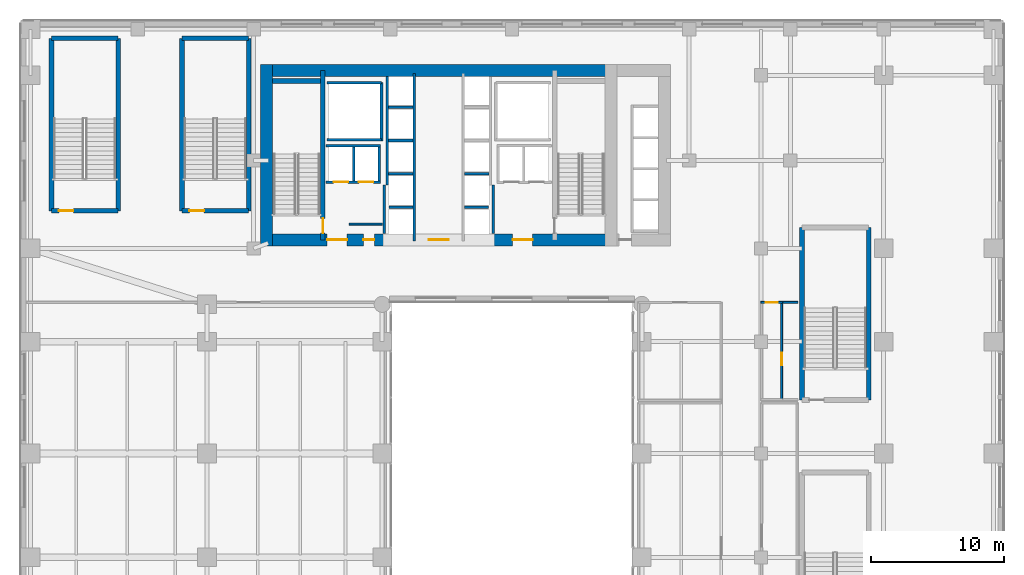
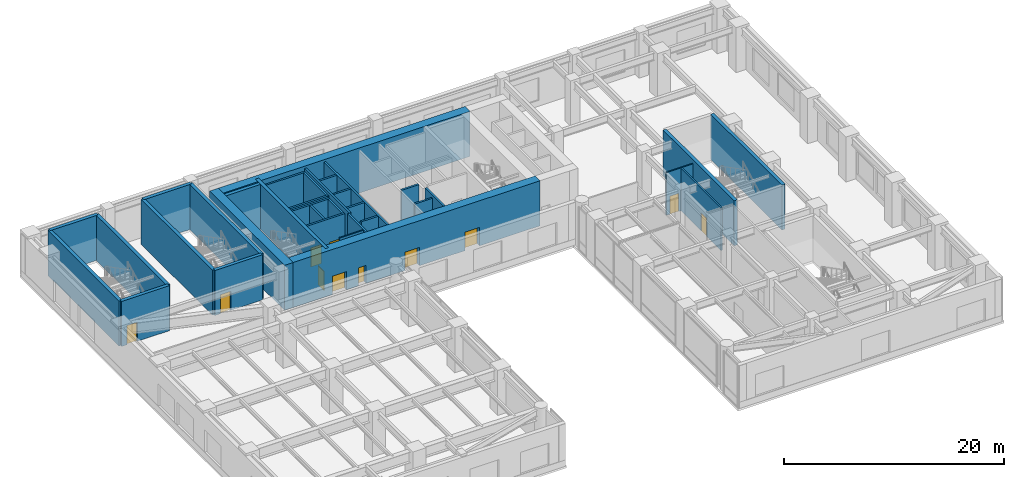
# One storey, part 14 of 24: 36 walls, 11 doors, 11 openings.
"""IFC4 building model written with IfcOpenShell, lengths in metres."""

from ifc_helpers import new_model, si_unit, direction, frame, frame_2d, origin, place, context, subcontext, project, spatial, rectangle, extrude, source, transform, mapped, material, layer, layer_set, type_object, type_shapes, element, fill, save


model = new_model("IFC4")

# Units and contexts
model_context = context("Model", 3, precision=1e-05, world=origin(), true_north=direction((0.0, 1.0)))
body_context = subcontext(model_context, "Body", "Model", "MODEL_VIEW")
ifc_project = project(units=[si_unit("LENGTHUNIT", "METRE"), si_unit("AREAUNIT", "SQUARE_METRE"), si_unit("VOLUMEUNIT", "CUBIC_METRE"), si_unit("PLANEANGLEUNIT", "RADIAN"), si_unit("MASSUNIT", "GRAM", prefix="KILO")], contexts=[model_context])

# Site, building, storey
site_placement = place(None, origin())
site = spatial("IfcSite", under=ifc_project, at=site_placement, CompositionType="ELEMENT")
building_placement = place(site_placement, origin())
building = spatial("IfcBuilding", under=site, at=building_placement, Name="Tolvann Quenvar Hotel", CompositionType="ELEMENT")
storey_placement = place(building_placement, frame((0.0, 0.0, 6.0)))
storey = spatial("IfcBuildingStorey", under=building, at=storey_placement, Name="L01", CompositionType="ELEMENT", Elevation=6.0)

# Wall, openings, doors
ifc_material_1 = material(Name="Concrete S80 (80 MPa)", Category="concrete")
ifc_layer_1 = layer(ifc_material_1, 0.89990234375)
ifc_layer_set_1 = layer_set([ifc_layer_1], Name="Concrete S80 (80 MPa)")
wall_type_1 = type_object("IfcWallType", Name="WALL_CORE_900", PredefinedType="SHEAR", material=ifc_layer_set_1)
wall_1_placement = place(storey_placement, frame((9.60009765625, 32.050048828125, 0.0), z_axis=(0.0, 0.0, 1.0), x_axis=(1.0, 0.0, 0.0)))
wall_1 = element("IfcWall", 1, at=wall_1_placement, inside=storey, type_object=wall_type_1, Name="Rear Core S Shear Wall (L01)", PredefinedType="SHEAR", context=body_context, shape_type="SweptSolid", body=[
    extrude(rectangle(XDim=26.7998046875, YDim=0.89990234375, at=frame_2d((13.39990234375, 0.0))), origin(), (0.0, 0.0, 1.0), 5.0),
])
opening_1_placement = place(wall_1_placement, frame((6.52001953125, 0.0, 0.0), z_axis=(0.0, 0.0, 1.0), x_axis=(-1.0, 0.0, 0.0)))
opening_1 = element("IfcOpeningElement", 2, at=opening_1_placement, cuts=wall_1, Name="Opening FD-60D", PredefinedType="OPENING", context=body_context, shape_type="SweptSolid", body=[
    extrude(rectangle(XDim=1.5, YDim=2.0400390625, at=frame_2d((0.75, 1.02001953125))), frame((0.0, 0.4599609375, 0.0), z_axis=(0.0, -1.0, 0.0), x_axis=(1.0, 0.0, 0.0)), (0.0, 0.0, 1.0), 0.919921875),
])
opening_2_placement = place(wall_1_placement, frame((14.14990234375, 0.0, 0.0), z_axis=(0.0, 0.0, 1.0), x_axis=(-1.0, 0.0, 0.0)))
opening_2 = element("IfcOpeningElement", 3, at=opening_2_placement, cuts=wall_1, Name="Opening FD-60D", PredefinedType="OPENING", context=body_context, shape_type="SweptSolid", body=[
    extrude(rectangle(XDim=1.5, YDim=2.0400390625, at=frame_2d((0.75, 1.02001953125))), frame((0.0, 0.4599609375, 0.0), z_axis=(0.0, -1.0, 0.0), x_axis=(1.0, 0.0, 0.0)), (0.0, 0.0, 1.0), 0.919921875),
])
opening_3_placement = place(wall_1_placement, frame((20.449951171875, 0.0, 0.0), z_axis=(0.0, 0.0, 1.0), x_axis=(-1.0, 0.0, 0.0)))
opening_3 = element("IfcOpeningElement", 4, at=opening_3_placement, cuts=wall_1, Name="Opening FD-60D", PredefinedType="OPENING", context=body_context, shape_type="SweptSolid", body=[
    extrude(rectangle(XDim=1.5, YDim=2.0400390625, at=frame_2d((0.75, 1.02001953125))), frame((0.0, 0.4599609375, 0.0), z_axis=(0.0, -1.0, 0.0), x_axis=(1.0, 0.0, 0.0)), (0.0, 0.0, 1.0), 0.919921875),
])
opening_4_placement = place(wall_1_placement, frame((8.570068359375, 0.0, 0.0), z_axis=(0.0, 0.0, 1.0), x_axis=(-1.0, 0.0, 0.0)))
opening_4 = element("IfcOpeningElement", 5, at=opening_4_placement, cuts=wall_1, Name="Opening HD-02", PredefinedType="OPENING", context=body_context, shape_type="SweptSolid", body=[
    extrude(rectangle(XDim=0.820068359375, YDim=2.010009765625, at=frame_2d((0.41015625, 1.0048828125))), frame((0.0, 0.4599609375, 0.0), z_axis=(0.0, -1.0, 0.0), x_axis=(1.0, 0.0, 0.0)), (0.0, 0.0, 1.0), 0.919921875),
])
ifc_material_2 = material(Name="Solid-core American oak acoustic fire door leaf in steel frame", Category="steel")
door_type_1 = type_object("IfcDoorType", Name="DOOR_FIRE_LOBBY_1500", OperationType="NOTDEFINED", PredefinedType="DOOR", material=ifc_material_2)
shared_shape_1 = source(origin(), body_context, "Body", "SweptSolid", [
    extrude(rectangle(XDim=1.5, YDim=2.0400390625, at=frame_2d((0.75, 1.02001953125))), frame((0.0, 0.02490234375, 0.0), z_axis=(0.0, -1.0, 0.0), x_axis=(1.0, 0.0, 0.0)), (0.0, 0.0, 1.0), 0.050048828125),
])
type_shapes(door_type_1, [shared_shape_1])
door_1_placement = place(opening_1_placement, origin())
door_1 = element("IfcDoor", 6, at=door_1_placement, inside=storey, type_object=door_type_1, Name="Core Lobby Fire Door FFW (L01)", OperationType="DOUBLE_DOOR_SINGLE_SWING", OverallHeight=2.0400390625, OverallWidth=1.5, PredefinedType="DOOR", context=body_context, shape_type="MappedRepresentation", body=[
    mapped(shared_shape_1, transform((0.0, 0.0, 0.0), x_axis=(1.0, 0.0, 0.0), y_axis=(0.0, 1.0, 0.0), z_axis=(0.0, 0.0, 1.0), scale=1.0)),
])
fill(opening_1, door_1)
door_2_placement = place(opening_2_placement, origin())
door_2 = element("IfcDoor", 7, at=door_2_placement, inside=storey, type_object=door_type_1, Name="Core Lobby Fire Door CLOB (L01)", OperationType="DOUBLE_DOOR_SINGLE_SWING", OverallHeight=2.0400390625, OverallWidth=1.5, PredefinedType="DOOR", context=body_context, shape_type="MappedRepresentation", body=[
    mapped(shared_shape_1, transform((0.0, 0.0, 0.0), x_axis=(1.0, 0.0, 0.0), y_axis=(0.0, 1.0, 0.0), z_axis=(0.0, 0.0, 1.0), scale=1.0)),
])
fill(opening_2, door_2)
door_3_placement = place(opening_3_placement, origin())
door_3 = element("IfcDoor", 8, at=door_3_placement, inside=storey, type_object=door_type_1, Name="Core Lobby Fire Door FFE (L01)", OperationType="DOUBLE_DOOR_SINGLE_SWING", OverallHeight=2.0400390625, OverallWidth=1.5, PredefinedType="DOOR", context=body_context, shape_type="MappedRepresentation", body=[
    mapped(shared_shape_1, transform((0.0, 0.0, 0.0), x_axis=(1.0, 0.0, 0.0), y_axis=(0.0, 1.0, 0.0), z_axis=(0.0, 0.0, 1.0), scale=1.0)),
])
fill(opening_3, door_3)
ifc_material_3 = material(Name="Pressed galvanised steel fire-rated door set", Category="steel")
door_type_2 = type_object("IfcDoorType", Name="DOOR_STORE_820", OperationType="NOTDEFINED", PredefinedType="DOOR", material=ifc_material_3)
shared_shape_2 = source(origin(), body_context, "Body", "SweptSolid", [
    extrude(rectangle(XDim=0.820068359375, YDim=2.010009765625, at=frame_2d((0.41015625, 1.0048828125))), frame((0.0, 0.02490234375, 0.0), z_axis=(0.0, -1.0, 0.0), x_axis=(1.0, 0.0, 0.0)), (0.0, 0.0, 1.0), 0.050048828125),
])
type_shapes(door_type_2, [shared_shape_2])
door_4_placement = place(opening_4_placement, origin())
door_4 = element("IfcDoor", 9, at=door_4_placement, inside=storey, type_object=door_type_2, Name="Core Linen Store Fire Door (L01)", OperationType="SINGLE_SWING_LEFT", OverallHeight=2.010009765625, OverallWidth=0.820068359375, PredefinedType="DOOR", context=body_context, shape_type="MappedRepresentation", body=[
    mapped(shared_shape_2, transform((0.0, 0.0, 0.0), x_axis=(1.0, 0.0, 0.0), y_axis=(0.0, 1.0, 0.0), z_axis=(0.0, 0.0, 1.0), scale=1.0)),
])
fill(opening_4, door_4)

# Walls
wall_2_placement = place(storey_placement, frame((9.60009765625, 44.75, 0.0), z_axis=(0.0, 0.0, 1.0), x_axis=(1.0, 0.0, 0.0)))
element("IfcWall", 10, at=wall_2_placement, inside=storey, type_object=wall_type_1, Name="Rear Core N Shear Wall (L01)", PredefinedType="SHEAR", context=body_context, shape_type="SweptSolid", body=[
    extrude(rectangle(XDim=26.7998046875, YDim=0.89990234375, at=frame_2d((13.39990234375, 0.0))), origin(), (0.0, 0.0, 1.0), 5.0),
])
wall_3_placement = place(storey_placement, frame((10.050048828125, 31.60009765625, 0.0), z_axis=(0.0, 0.0, 1.0), x_axis=(0.0, 1.0, 0.0)))
element("IfcWall", 11, at=wall_3_placement, inside=storey, type_object=wall_type_1, Name="Rear Core W Shear Wall (L01)", PredefinedType="SHEAR", context=body_context, shape_type="SweptSolid", body=[
    extrude(rectangle(XDim=13.599853515625, YDim=0.89990234375, at=frame_2d((6.7998046875, 0.0))), origin(), (0.0, 0.0, 1.0), 5.0),
])

# Wall, opening, door
ifc_material_4 = material(Name="Concrete S65 (65 MPa)", Category="concrete")
ifc_layer_2 = layer(ifc_material_4, 0.35009765625)
ifc_layer_set_2 = layer_set([ifc_layer_2], Name="Concrete S65 (65 MPa)")
wall_type_2 = type_object("IfcWallType", Name="WALL_CORE_INT_350", PredefinedType="SHEAR", material=ifc_layer_set_2)
wall_4_placement = place(storey_placement, frame((14.300048828125, 32.050048828125, 0.0), z_axis=(0.0, 0.0, 1.0), x_axis=(0.0, 1.0, 0.0)))
wall_4 = element("IfcWall", 12, at=wall_4_placement, inside=storey, type_object=wall_type_2, Name="Core Internal Web Shear Wall WEB-W (L01)", PredefinedType="SHEAR", context=body_context, shape_type="SweptSolid", body=[
    extrude(rectangle(XDim=12.699951171875, YDim=0.35009765625, at=frame_2d((6.35009765625, 0.0))), origin(), (0.0, 0.0, 1.0), 5.0),
])
opening_5_placement = place(wall_4_placement, frame((0.5, 0.0, 0.0)))
opening_5 = element("IfcOpeningElement", 13, at=opening_5_placement, cuts=wall_4, Name="Opening FD-120", PredefinedType="OPENING", context=body_context, shape_type="SweptSolid", body=[
    extrude(rectangle(XDim=1.10009765625, YDim=2.1201171875, at=frame_2d((0.550048828125, 1.06005859375))), frame((0.0, 0.18505859375, 0.0), z_axis=(0.0, -1.0, 0.0), x_axis=(1.0, 0.0, 0.0)), (0.0, 0.0, 1.0), 0.3701171875),
])
door_type_3 = type_object("IfcDoorType", Name="DOOR_FIRE_STAIR_1100", OperationType="NOTDEFINED", PredefinedType="DOOR", material=ifc_material_3)
shared_shape_3 = source(origin(), body_context, "Body", "SweptSolid", [
    extrude(rectangle(XDim=1.10009765625, YDim=2.1201171875, at=frame_2d((0.550048828125, 1.06005859375))), frame((0.0, 0.02490234375, 0.0), z_axis=(0.0, -1.0, 0.0), x_axis=(1.0, 0.0, 0.0)), (0.0, 0.0, 1.0), 0.050048828125),
])
type_shapes(door_type_3, [shared_shape_3])
door_5_placement = place(opening_5_placement, origin())
door_5 = element("IfcDoor", 14, at=door_5_placement, inside=storey, type_object=door_type_3, Name="Exit Stair ST-C1 Fire Door (L01)", OperationType="SINGLE_SWING_LEFT", OverallHeight=2.1201171875, OverallWidth=1.10009765625, PredefinedType="DOOR", context=body_context, shape_type="MappedRepresentation", body=[
    mapped(shared_shape_3, transform((0.0, 0.0, 0.0), x_axis=(1.0, 0.0, 0.0), y_axis=(0.0, 1.0, 0.0), z_axis=(0.0, 0.0, 1.0), scale=1.0)),
])
fill(opening_5, door_5)

# Wall
wall_5_placement = place(storey_placement, frame((10.52001953125, 43.97509765625, 0.0), z_axis=(0.0, 0.0, 1.0), x_axis=(1.0, 0.0, 0.0)))
element("IfcWall", 15, at=wall_5_placement, inside=storey, type_object=wall_type_2, Name="Core Stair North Closing Shear Wall STC1-N (L01)", PredefinedType="SHEAR", context=body_context, shape_type="SweptSolid", body=[
    extrude(rectangle(XDim=3.60009765625, YDim=0.35009765625, at=frame_2d((1.800048828125, 0.0))), origin(), (0.0, 0.0, 1.0), 5.0),
])

# Wall, opening, door
wall_6_placement = place(storey_placement, frame((-6.074951171875, 34.22509765625, 0.0), z_axis=(0.0, 0.0, 1.0), x_axis=(1.0, 0.0, 0.0)))
wall_6 = element("IfcWall", 16, at=wall_6_placement, inside=storey, type_object=wall_type_2, Name="Stairwell ST-P1 Structural Shaft Wall S (L01)", PredefinedType="SHEAR", context=body_context, shape_type="SweptSolid", body=[
    extrude(rectangle(XDim=5.0, YDim=0.35009765625, at=frame_2d((2.5, 0.0))), origin(), (0.0, 0.0, 1.0), 5.0),
])
opening_6_placement = place(wall_6_placement, frame((0.550048828125, 0.0, 0.0)))
opening_6 = element("IfcOpeningElement", 17, at=opening_6_placement, cuts=wall_6, Name="Opening FD-120", PredefinedType="OPENING", context=body_context, shape_type="SweptSolid", body=[
    extrude(rectangle(XDim=1.10009765625, YDim=2.1201171875, at=frame_2d((0.550048828125, 1.06005859375))), frame((0.0, 0.18505859375, 0.0), z_axis=(0.0, -1.0, 0.0), x_axis=(1.0, 0.0, 0.0)), (0.0, 0.0, 1.0), 0.3701171875),
])
door_6_placement = place(opening_6_placement, origin())
door_6 = element("IfcDoor", 18, at=door_6_placement, inside=storey, type_object=door_type_3, Name="Exit Stair ST-P1 Fire Door (L01)", OperationType="SINGLE_SWING_LEFT", OverallHeight=2.1201171875, OverallWidth=1.10009765625, PredefinedType="DOOR", context=body_context, shape_type="MappedRepresentation", body=[
    mapped(shared_shape_3, transform((0.0, 0.0, 0.0), x_axis=(1.0, 0.0, 0.0), y_axis=(0.0, 1.0, 0.0), z_axis=(0.0, 0.0, 1.0), scale=1.0)),
])
fill(opening_6, door_6)

# Walls
wall_7_placement = place(storey_placement, frame((-1.074951171875, 34.22509765625, 0.0), z_axis=(0.0, 0.0, 1.0), x_axis=(0.0, 1.0, 0.0)))
element("IfcWall", 19, at=wall_7_placement, inside=storey, type_object=wall_type_2, Name="Stairwell ST-P1 Structural Shaft Wall E (L01)", PredefinedType="SHEAR", context=body_context, shape_type="SweptSolid", body=[
    extrude(rectangle(XDim=12.949951171875, YDim=0.35009765625, at=frame_2d((6.47509765625, 0.0))), origin(), (0.0, 0.0, 1.0), 5.0),
])
wall_8_placement = place(storey_placement, frame((-1.074951171875, 47.175048828125, 0.0), z_axis=(0.0, 0.0, 1.0), x_axis=(-1.0, 0.0, 0.0)))
element("IfcWall", 20, at=wall_8_placement, inside=storey, type_object=wall_type_2, Name="Stairwell ST-P1 Structural Shaft Wall N (L01)", PredefinedType="SHEAR", context=body_context, shape_type="SweptSolid", body=[
    extrude(rectangle(XDim=5.0, YDim=0.35009765625, at=frame_2d((2.5, 0.0))), origin(), (0.0, 0.0, 1.0), 5.0),
])
wall_9_placement = place(storey_placement, frame((-6.074951171875, 47.175048828125, 0.0), z_axis=(0.0, 0.0, 1.0), x_axis=(0.0, -1.0, 0.0)))
element("IfcWall", 21, at=wall_9_placement, inside=storey, type_object=wall_type_2, Name="Stairwell ST-P1 Structural Shaft Wall W (L01)", PredefinedType="SHEAR", context=body_context, shape_type="SweptSolid", body=[
    extrude(rectangle(XDim=12.949951171875, YDim=0.35009765625, at=frame_2d((6.47509765625, 0.0))), origin(), (0.0, 0.0, 1.0), 5.0),
])

# Wall, opening, door
wall_10_placement = place(storey_placement, frame((3.72509765625, 34.22509765625, 0.0), z_axis=(0.0, 0.0, 1.0), x_axis=(1.0, 0.0, 0.0)))
wall_10 = element("IfcWall", 22, at=wall_10_placement, inside=storey, type_object=wall_type_2, Name="Stairwell ST-P2 Structural Shaft Wall S (L01)", PredefinedType="SHEAR", context=body_context, shape_type="SweptSolid", body=[
    extrude(rectangle(XDim=5.0, YDim=0.35009765625, at=frame_2d((2.5, 0.0))), origin(), (0.0, 0.0, 1.0), 5.0),
])
opening_7_placement = place(wall_10_placement, frame((0.550048828125, 0.0, 0.0)))
opening_7 = element("IfcOpeningElement", 23, at=opening_7_placement, cuts=wall_10, Name="Opening FD-120", PredefinedType="OPENING", context=body_context, shape_type="SweptSolid", body=[
    extrude(rectangle(XDim=1.10009765625, YDim=2.1201171875, at=frame_2d((0.550048828125, 1.06005859375))), frame((0.0, 0.18505859375, 0.0), z_axis=(0.0, -1.0, 0.0), x_axis=(1.0, 0.0, 0.0)), (0.0, 0.0, 1.0), 0.3701171875),
])
door_7_placement = place(opening_7_placement, origin())
door_7 = element("IfcDoor", 24, at=door_7_placement, inside=storey, type_object=door_type_3, Name="Exit Stair ST-P2 Fire Door (L01)", OperationType="SINGLE_SWING_RIGHT", OverallHeight=2.1201171875, OverallWidth=1.10009765625, PredefinedType="DOOR", context=body_context, shape_type="MappedRepresentation", body=[
    mapped(shared_shape_3, transform((0.0, 0.0, 0.0), x_axis=(1.0, 0.0, 0.0), y_axis=(0.0, 1.0, 0.0), z_axis=(0.0, 0.0, 1.0), scale=1.0)),
])
fill(opening_7, door_7)

# Walls
wall_11_placement = place(storey_placement, frame((8.72509765625, 34.22509765625, 0.0), z_axis=(0.0, 0.0, 1.0), x_axis=(0.0, 1.0, 0.0)))
element("IfcWall", 25, at=wall_11_placement, inside=storey, type_object=wall_type_2, Name="Stairwell ST-P2 Structural Shaft Wall E (L01)", PredefinedType="SHEAR", context=body_context, shape_type="SweptSolid", body=[
    extrude(rectangle(XDim=12.949951171875, YDim=0.35009765625, at=frame_2d((6.47509765625, 0.0))), origin(), (0.0, 0.0, 1.0), 5.0),
])
wall_12_placement = place(storey_placement, frame((8.72509765625, 47.175048828125, 0.0), z_axis=(0.0, 0.0, 1.0), x_axis=(-1.0, 0.0, 0.0)))
element("IfcWall", 26, at=wall_12_placement, inside=storey, type_object=wall_type_2, Name="Stairwell ST-P2 Structural Shaft Wall N (L01)", PredefinedType="SHEAR", context=body_context, shape_type="SweptSolid", body=[
    extrude(rectangle(XDim=5.0, YDim=0.35009765625, at=frame_2d((2.5, 0.0))), origin(), (0.0, 0.0, 1.0), 5.0),
])
wall_13_placement = place(storey_placement, frame((3.72509765625, 47.175048828125, 0.0), z_axis=(0.0, 0.0, 1.0), x_axis=(0.0, -1.0, 0.0)))
element("IfcWall", 27, at=wall_13_placement, inside=storey, type_object=wall_type_2, Name="Stairwell ST-P2 Structural Shaft Wall W (L01)", PredefinedType="SHEAR", context=body_context, shape_type="SweptSolid", body=[
    extrude(rectangle(XDim=12.949951171875, YDim=0.35009765625, at=frame_2d((6.47509765625, 0.0))), origin(), (0.0, 0.0, 1.0), 5.0),
])
for number, where, z_axis, x_axis, name in (
    (28, (55.27490234375, 20.02490234375, 0.0), (0.0, 0.0, 1.0), (0.0, 1.0, 0.0), "Stairwell ST-P4 Structural Shaft Wall E (L01)"),
    (29, (50.27490234375, 32.97509765625, 0.0), (0.0, 0.0, 1.0), (0.0, -1.0, 0.0), "Stairwell ST-P4 Structural Shaft Wall W (L01)"),
):
    element("IfcWall", number, at=place(storey_placement, frame(where, z_axis=z_axis, x_axis=x_axis)), inside=storey, type_object=wall_type_2, Name=name, PredefinedType="SHEAR", context=body_context, shape_type="SweptSolid", body=[
        extrude(rectangle(XDim=12.9501953125, YDim=0.35009765625, at=frame_2d((6.47509765625, 0.0))), origin(), (0.0, 0.0, 1.0), 5.0),
    ])
ifc_material_5 = material(Name="Acoustic twin-stud fire-rated gypsum plasterboard partition")
ifc_layer_3 = layer(ifc_material_5, 0.14990234375)
ifc_layer_set_3 = layer_set([ifc_layer_3], Name="Acoustic twin-stud fire-rated gypsum plasterboard partition")
wall_type_3 = type_object("IfcWallType", Name="WALL_PART_SUITE_150", PredefinedType="PARTITIONING", material=ifc_layer_set_3)
wall_14_placement = place(storey_placement, frame((16.280029296875, 33.219970703125, 0.0), z_axis=(0.0, 0.0, 1.0), x_axis=(1.0, 0.0, 0.0)))
element("IfcWall", 30, at=wall_14_placement, inside=storey, type_object=wall_type_3, Name="Interior Partition PT-SPC-L01-CSW-1-N", PredefinedType="PARTITIONING", context=body_context, shape_type="SweptSolid", body=[
    extrude(rectangle(XDim=2.48486328125, YDim=0.14990234375, at=frame_2d((1.242431640625, 0.0))), origin(), (0.0, 0.0, 1.0), 4.739990234375),
])

# Wall, opening, door
wall_15_placement = place(storey_placement, frame((47.179931640625, 27.35009765625, 0.0), z_axis=(0.0, 0.0, 1.0), x_axis=(1.0, 0.0, 0.0)))
wall_15 = element("IfcWall", 31, at=wall_15_placement, inside=storey, type_object=wall_type_3, Name="Interior Partition PT-SPC-L01-WC1-N", PredefinedType="PARTITIONING", context=body_context, shape_type="SweptSolid", body=[
    extrude(rectangle(XDim=1.64013671875, YDim=0.14990234375, at=frame_2d((0.820068359375, 0.0))), origin(), (0.0, 0.0, 1.0), 4.739990234375),
])
opening_8_placement = place(wall_15_placement, frame((0.360107421875, 0.0, 0.0)))
opening_8 = element("IfcOpeningElement", 32, at=opening_8_placement, cuts=wall_15, Name="Opening WD-01", PredefinedType="OPENING", context=body_context, shape_type="SweptSolid", body=[
    extrude(rectangle(XDim=0.919921875, YDim=2.010009765625, at=frame_2d((0.4599609375, 1.0048828125))), frame((0.0, 0.0849609375, 0.0), z_axis=(0.0, -1.0, 0.0), x_axis=(1.0, 0.0, 0.0)), (0.0, 0.0, 1.0), 0.169921875),
])
door_type_4 = type_object("IfcDoorType", Name="DOOR_WC_920", OperationType="NOTDEFINED", PredefinedType="DOOR", material=ifc_material_2)
shared_shape_4 = source(origin(), body_context, "Body", "SweptSolid", [
    extrude(rectangle(XDim=0.919921875, YDim=2.010009765625, at=frame_2d((0.4599609375, 1.0048828125))), frame((0.0, 0.02490234375, 0.0), z_axis=(0.0, -1.0, 0.0), x_axis=(1.0, 0.0, 0.0)), (0.0, 0.0, 1.0), 0.050048828125),
])
type_shapes(door_type_4, [shared_shape_4])
door_8_placement = place(opening_8_placement, origin())
door_8 = element("IfcDoor", 33, at=door_8_placement, inside=storey, type_object=door_type_4, Name="Interior Door DOOR-SPC-L01-WC1", OperationType="SINGLE_SWING_LEFT", OverallHeight=2.010009765625, OverallWidth=0.919921875, PredefinedType="DOOR", context=body_context, shape_type="MappedRepresentation", body=[
    mapped(shared_shape_4, transform((0.0, 0.0, 0.0), x_axis=(1.0, 0.0, 0.0), y_axis=(0.0, 1.0, 0.0), z_axis=(0.0, 0.0, 1.0), scale=1.0)),
])
fill(opening_8, door_8)

wall_16_placement = place(storey_placement, frame((48.75, 19.97998046875, 0.0), z_axis=(0.0, 0.0, 1.0), x_axis=(0.0, 1.0, 0.0)))
wall_16 = element("IfcWall", 34, at=wall_16_placement, inside=storey, type_object=wall_type_3, Name="Interior Partition PT-SPC-L01-WC1-E", PredefinedType="PARTITIONING", context=body_context, shape_type="SweptSolid", body=[
    extrude(rectangle(XDim=7.43994140625, YDim=0.14990234375, at=frame_2d((3.719970703125, 0.0))), origin(), (0.0, 0.0, 1.0), 4.739990234375),
])
opening_9_placement = place(wall_16_placement, frame((2.659912109375, 0.0, 0.0)))
opening_9 = element("IfcOpeningElement", 35, at=opening_9_placement, cuts=wall_16, Name="Opening WD-01", PredefinedType="OPENING", context=body_context, shape_type="SweptSolid", body=[
    extrude(rectangle(XDim=0.919921875, YDim=2.010009765625, at=frame_2d((0.4599609375, 1.0048828125))), frame((0.0, 0.0849609375, 0.0), z_axis=(0.0, -1.0, 0.0), x_axis=(1.0, 0.0, 0.0)), (0.0, 0.0, 1.0), 0.169921875),
])
door_9_placement = place(opening_9_placement, origin())
door_9 = element("IfcDoor", 36, at=door_9_placement, inside=storey, type_object=door_type_4, Name="Interior Door DOOR-SPC-L01-WCA", OperationType="SINGLE_SWING_RIGHT", OverallHeight=2.010009765625, OverallWidth=0.919921875, PredefinedType="DOOR", context=body_context, shape_type="MappedRepresentation", body=[
    mapped(shared_shape_4, transform((0.0, 0.0, 0.0), x_axis=(1.0, 0.0, 0.0), y_axis=(0.0, 1.0, 0.0), z_axis=(0.0, 0.0, 1.0), scale=1.0)),
])
fill(opening_9, door_9)

# Walls
wall_17_placement = place(storey_placement, frame((48.830078125, 27.35009765625, 0.0), z_axis=(0.0, 0.0, 1.0), x_axis=(1.0, 0.0, 0.0)))
element("IfcWall", 37, at=wall_17_placement, inside=storey, type_object=wall_type_3, Name="Interior Partition PT-SPC-L01-WCA-N", PredefinedType="PARTITIONING", context=body_context, shape_type="SweptSolid", body=[
    extrude(rectangle(XDim=1.139892578125, YDim=0.14990234375, at=frame_2d((0.56982421875, 0.0))), origin(), (0.0, 0.0, 1.0), 4.739990234375),
])
ifc_material_6 = material(Name="Concrete N40 (40 MPa)", Category="concrete")
ifc_layer_4 = layer(ifc_material_6, 0.199951171875)
ifc_layer_set_4 = layer_set([ifc_layer_4], Name="Concrete N40 (40 MPa)")
wall_type_4 = type_object("IfcWallType", Name="WALL_SHAFT_200", PredefinedType="SOLIDWALL", material=ifc_layer_set_4)
wall_18_placement = place(storey_placement, frame((18.699951171875, 39.449951171875, 0.0), z_axis=(0.0, 0.0, 1.0), x_axis=(0.0, 1.0, 0.0)))
element("IfcWall", 38, at=wall_18_placement, inside=storey, type_object=wall_type_4, Name="Service Riser W Shaft Wall IN (L01)", PredefinedType="SOLIDWALL", context=body_context, shape_type="SweptSolid", body=[
    extrude(rectangle(XDim=4.400146484375, YDim=0.199951171875, at=frame_2d((2.2001953125, 0.0))), origin(), (0.0, 0.0, 1.0), 4.739990234375),
])
for number, where, z_axis, x_axis, name in (
    (39, (14.60009765625, 39.550048828125, 0.0), (0.0, 0.0, 1.0), (1.0, 0.0, 0.0), "Service Riser W Shaft Wall S (L01)"),
    (40, (14.60009765625, 43.85009765625, 0.0), (0.0, 0.0, 1.0), (1.0, 0.0, 0.0), "Service Riser W Shaft Wall N (L01)"),
):
    element("IfcWall", number, at=place(storey_placement, frame(where, z_axis=z_axis, x_axis=x_axis)), inside=storey, type_object=wall_type_4, Name=name, PredefinedType="SOLIDWALL", context=body_context, shape_type="SweptSolid", body=[
        extrude(rectangle(XDim=4.099853515625, YDim=0.199951171875, at=frame_2d((2.0498046875, 0.0))), origin(), (0.0, 0.0, 1.0), 4.739990234375),
    ])
for number, where, z_axis, x_axis, name in (
    (41, (18.919921875, 32.50390625, 0.0), (0.0, 0.0, 1.0), (0.0, 1.0, 0.0), "Firefighting Lobby W Inner Fire Wall (L01)"),
    (42, (27.080078125, 32.50390625, 0.0), (0.0, 0.0, 1.0), (0.0, 1.0, 0.0), "Firefighting Lobby E Inner Fire Wall (L01)"),
):
    element("IfcWall", number, at=place(storey_placement, frame(where, z_axis=z_axis, x_axis=x_axis)), inside=storey, type_object=wall_type_4, Name=name, PredefinedType="SOLIDWALL", context=body_context, shape_type="SweptSolid", body=[
        extrude(rectangle(XDim=3.64599609375, YDim=0.199951171875, at=frame_2d((1.822998046875, 0.0))), origin(), (0.0, 0.0, 1.0), 4.739990234375),
    ])
wall_19_placement = place(storey_placement, frame((21.169921875, 31.9599609375, 0.0), z_axis=(0.0, 0.0, 1.0), x_axis=(0.0, 1.0, 0.0)))
element("IfcWall", 43, at=wall_19_placement, inside=storey, type_object=wall_type_4, Name="Lift Bank E21.1C1 Hoistway Front Wall (L01)", PredefinedType="SOLIDWALL", context=body_context, shape_type="SweptSolid", body=[
    extrude(rectangle(XDim=12.580078125, YDim=0.199951171875, at=frame_2d((6.2900390625, 0.0))), origin(), (0.0, 0.0, 1.0), 4.739990234375),
])
wall_20_placement = place(storey_placement, frame((19.1298828125, 36.159912109375, 0.0), z_axis=(0.0, 0.0, 1.0), x_axis=(0.0, 1.0, 0.0)))
element("IfcWall", 44, at=wall_20_placement, inside=storey, type_object=wall_type_4, Name="Lift Bank E21.1C1 Hoistway Rear Wall (L01)", PredefinedType="SOLIDWALL", context=body_context, shape_type="SweptSolid", body=[
    extrude(rectangle(XDim=8.135986328125, YDim=0.199951171875, at=frame_2d((4.06787109375, 0.0))), origin(), (0.0, 0.0, 1.0), 4.739990234375),
])
wall_21_placement = place(storey_placement, frame((19.27001953125, 34.5, 0.0), z_axis=(0.0, 0.0, 1.0), x_axis=(1.0, 0.0, 0.0)))
element("IfcWall", 45, at=wall_21_placement, inside=storey, type_object=wall_type_4, Name="Lift Bank E21.1C1 Divider Wall 1 (L01)", PredefinedType="SOLIDWALL", context=body_context, shape_type="SweptSolid", body=[
    extrude(rectangle(XDim=1.800048828125, YDim=0.199951171875, at=frame_2d((0.89990234375, 0.0))), origin(), (0.0, 0.0, 1.0), 4.739990234375),
])
for number, where, z_axis, x_axis, name in (
    (46, (19.22998046875, 37.0, 0.0), (0.0, 0.0, 1.0), (1.0, 0.0, 0.0), "Lift Bank E21.1C1 Divider Wall 2 (L01)"),
    (47, (19.22998046875, 39.5, 0.0), (0.0, 0.0, 1.0), (1.0, 0.0, 0.0), "Lift Bank E21.1C1 Divider Wall 3 (L01)"),
    (48, (19.22998046875, 42.0, 0.0), (0.0, 0.0, 1.0), (1.0, 0.0, 0.0), "Lift Bank E21.1C1 Divider Wall 4 (L01)"),
):
    element("IfcWall", number, at=place(storey_placement, frame(where, z_axis=z_axis, x_axis=x_axis)), inside=storey, type_object=wall_type_4, Name=name, PredefinedType="SOLIDWALL", context=body_context, shape_type="SweptSolid", body=[
        extrude(rectangle(XDim=1.840087890625, YDim=0.199951171875, at=frame_2d((0.919921875, 0.0))), origin(), (0.0, 0.0, 1.0), 4.739990234375),
    ])

# Wall, openings, doors
wall_22_placement = place(storey_placement, frame((14.550048828125, 36.3798828125, 0.0), z_axis=(0.0, 0.0, 1.0), x_axis=(1.0, 0.0, 0.0)))
wall_22 = element("IfcWall", 49, at=wall_22_placement, inside=storey, type_object=wall_type_4, Name="Lift Bank SWC1 Hoistway Front Wall (L01)", PredefinedType="SOLIDWALL", context=body_context, shape_type="SweptSolid", body=[
    extrude(rectangle(XDim=4.074951171875, YDim=0.199951171875, at=frame_2d((2.03759765625, 0.0))), origin(), (0.0, 0.0, 1.0), 4.739990234375),
])
opening_10_placement = place(wall_22_placement, frame((0.550048828125, 0.0, 0.0)))
opening_10 = element("IfcOpeningElement", 50, at=opening_10_placement, cuts=wall_22, Name="Opening LD-01", PredefinedType="OPENING", context=body_context, shape_type="SweptSolid", body=[
    extrude(rectangle(XDim=1.10009765625, YDim=2.1201171875, at=frame_2d((0.550048828125, 1.06005859375))), frame((0.0, 0.10986328125, 0.0), z_axis=(0.0, -1.0, 0.0), x_axis=(1.0, 0.0, 0.0)), (0.0, 0.0, 1.0), 0.219970703125),
])
opening_11_placement = place(wall_22_placement, frame((2.449951171875, 0.0, 0.0)))
opening_11 = element("IfcOpeningElement", 51, at=opening_11_placement, cuts=wall_22, Name="Opening LD-01", PredefinedType="OPENING", context=body_context, shape_type="SweptSolid", body=[
    extrude(rectangle(XDim=1.10009765625, YDim=2.1201171875, at=frame_2d((0.550048828125, 1.06005859375))), frame((0.0, 0.10986328125, 0.0), z_axis=(0.0, -1.0, 0.0), x_axis=(1.0, 0.0, 0.0)), (0.0, 0.0, 1.0), 0.219970703125),
])
ifc_material_7 = material(Name="Brushed 316 stainless steel automatic sliding lift landing door", Category="steel")
door_type_5 = type_object("IfcDoorType", Name="DOOR_LIFT_SLIDE_1100", OperationType="NOTDEFINED", PredefinedType="DOOR", material=ifc_material_7)
shared_shape_5 = source(origin(), body_context, "Body", "SweptSolid", [
    extrude(rectangle(XDim=1.10009765625, YDim=2.1201171875, at=frame_2d((0.550048828125, 1.06005859375))), frame((0.0, 0.02490234375, 0.0), z_axis=(0.0, -1.0, 0.0), x_axis=(1.0, 0.0, 0.0)), (0.0, 0.0, 1.0), 0.050048828125),
])
type_shapes(door_type_5, [shared_shape_5])
door_10_placement = place(opening_10_placement, origin())
door_10 = element("IfcDoor", 52, at=door_10_placement, inside=storey, type_object=door_type_5, Name="Lift FF-1 Sliding Landing Door (L01)", OperationType="SLIDING_TO_LEFT", OverallHeight=2.1201171875, OverallWidth=1.10009765625, PredefinedType="DOOR", context=body_context, shape_type="MappedRepresentation", body=[
    mapped(shared_shape_5, transform((0.0, 0.0, 0.0), x_axis=(1.0, 0.0, 0.0), y_axis=(0.0, 1.0, 0.0), z_axis=(0.0, 0.0, 1.0), scale=1.0)),
])
fill(opening_10, door_10)
door_11_placement = place(opening_11_placement, origin())
door_11 = element("IfcDoor", 53, at=door_11_placement, inside=storey, type_object=door_type_5, Name="Lift SV-1 Sliding Landing Door (L01)", OperationType="SLIDING_TO_RIGHT", OverallHeight=2.1201171875, OverallWidth=1.10009765625, PredefinedType="DOOR", context=body_context, shape_type="MappedRepresentation", body=[
    mapped(shared_shape_5, transform((0.0, 0.0, 0.0), x_axis=(1.0, 0.0, 0.0), y_axis=(0.0, 1.0, 0.0), z_axis=(0.0, 0.0, 1.0), scale=1.0)),
])
fill(opening_11, door_11)

# Walls
wall_23_placement = place(storey_placement, frame((14.550048828125, 39.1201171875, 0.0), z_axis=(0.0, 0.0, 1.0), x_axis=(1.0, 0.0, 0.0)))
element("IfcWall", 54, at=wall_23_placement, inside=storey, type_object=wall_type_4, Name="Lift Bank SWC1 Hoistway Rear Wall (L01)", PredefinedType="SOLIDWALL", context=body_context, shape_type="SweptSolid", body=[
    extrude(rectangle(XDim=4.074951171875, YDim=0.199951171875, at=frame_2d((2.03759765625, 0.0))), origin(), (0.0, 0.0, 1.0), 4.739990234375),
])
for number, where, z_axis, x_axis, name in (
    (55, (18.52490234375, 36.47998046875, 0.0), (0.0, 0.0, 1.0), (0.0, 1.0, 0.0), "Lift Bank SWC1 Hoistway Cheek Wall 2 (L01)"),
    (56, (16.612548828125, 36.47998046875, 0.0), (0.0, 0.0, 1.0), (0.0, 1.0, 0.0), "Lift Bank SWC1 Divider Wall 1 (L01)"),
):
    element("IfcWall", number, at=place(storey_placement, frame(where, z_axis=z_axis, x_axis=x_axis)), inside=storey, type_object=wall_type_4, Name=name, PredefinedType="SOLIDWALL", context=body_context, shape_type="SweptSolid", body=[
        extrude(rectangle(XDim=2.5400390625, YDim=0.199951171875, at=frame_2d((1.27001953125, 0.0))), origin(), (0.0, 0.0, 1.0), 4.739990234375),
    ])
wall_24_placement = place(storey_placement, frame((24.929931640625, 34.5, 0.0), z_axis=(0.0, 0.0, 1.0), x_axis=(1.0, 0.0, 0.0)))
element("IfcWall", 57, at=wall_24_placement, inside=storey, type_object=wall_type_4, Name="Lift Bank W24.9C1 Divider Wall 1 (L01)", PredefinedType="SOLIDWALL", context=body_context, shape_type="SweptSolid", body=[
    extrude(rectangle(XDim=1.800048828125, YDim=0.199951171875, at=frame_2d((0.89990234375, 0.0))), origin(), (0.0, 0.0, 1.0), 4.739990234375),
])
wall_25_placement = place(storey_placement, frame((24.929931640625, 37.0, 0.0), z_axis=(0.0, 0.0, 1.0), x_axis=(1.0, 0.0, 0.0)))
element("IfcWall", 58, at=wall_25_placement, inside=storey, type_object=wall_type_4, Name="Lift Bank W24.9C1 Divider Wall 2 (L01)", PredefinedType="SOLIDWALL", context=body_context, shape_type="SweptSolid", body=[
    extrude(rectangle(XDim=1.840087890625, YDim=0.199951171875, at=frame_2d((0.919921875, 0.0))), origin(), (0.0, 0.0, 1.0), 4.739990234375),
])

save(model, "model.ifc")
